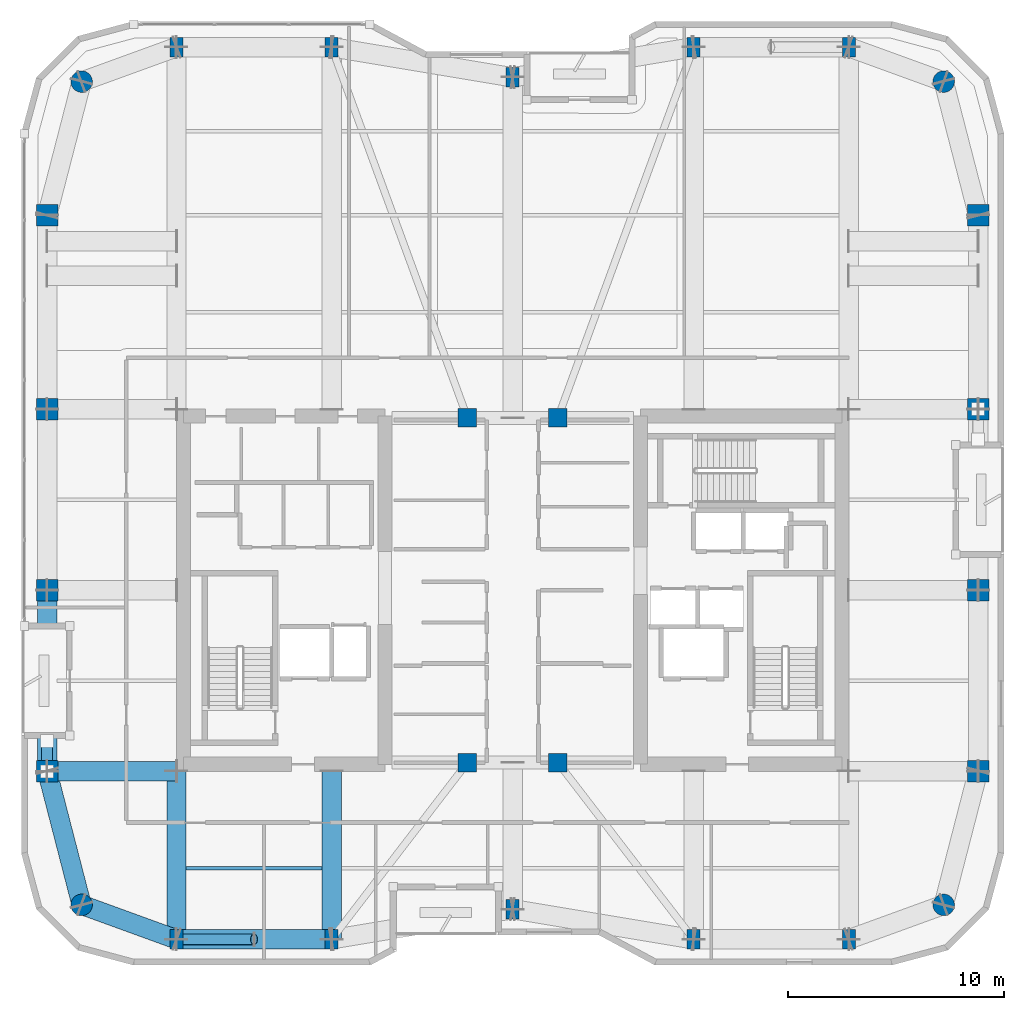
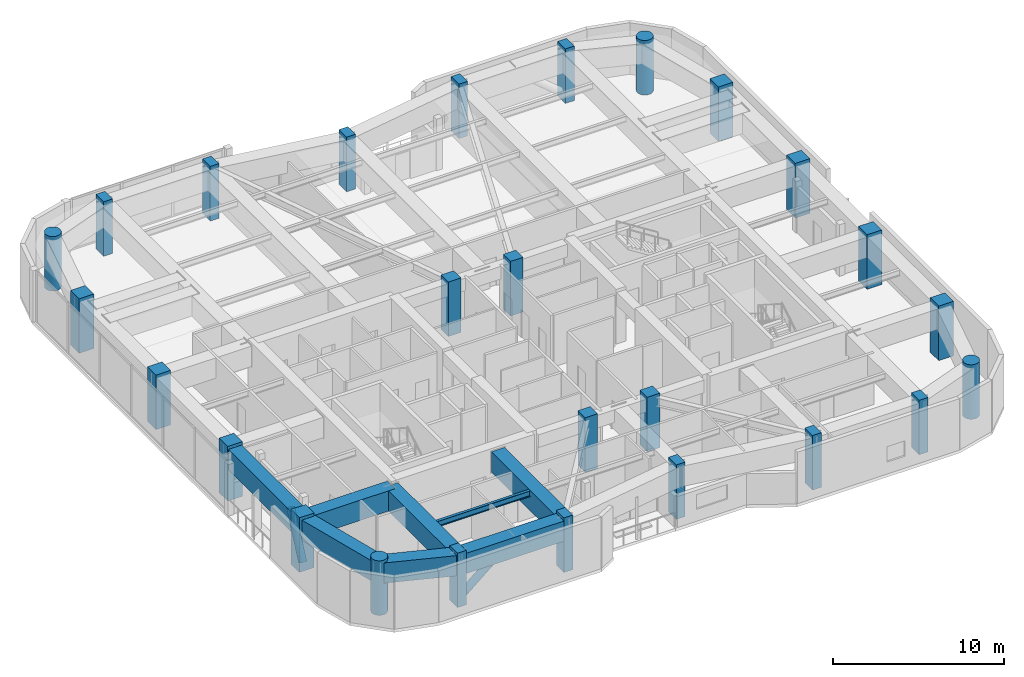
# One storey, part 1 of 21: 26 columns, 8 beams, 2 members.
"""IFC4 building model written with IfcOpenShell, lengths in metres."""

from ifc_helpers import new_model, si_unit, direction, frame, origin, origin_2d, place, context, subcontext, project, spatial, rectangle, hollow_rectangle, circle, hollow_circle, i_section, extrude, material, material_profile, profile_set, type_object, element, save


model = new_model("IFC4")

# Units and contexts
model_context = context("Model", 3, precision=1e-05, world=origin(), true_north=direction((0.0, 1.0)))
body_context = subcontext(model_context, "Body", "Model", "MODEL_VIEW")
ifc_project = project(units=[si_unit("LENGTHUNIT", "METRE"), si_unit("AREAUNIT", "SQUARE_METRE"), si_unit("VOLUMEUNIT", "CUBIC_METRE"), si_unit("PLANEANGLEUNIT", "RADIAN"), si_unit("MASSUNIT", "GRAM", prefix="KILO")], contexts=[model_context])

# Site, building, storey
site_placement = place(None, origin())
site = spatial("IfcSite", under=ifc_project, at=site_placement, CompositionType="ELEMENT")
building_placement = place(site_placement, origin())
building = spatial("IfcBuilding", under=site, at=building_placement, Name="Kiyonajd Concourse Tower", CompositionType="ELEMENT")
storey_placement = place(building_placement, frame((0.0, 0.0, 251.10009765625)))
storey = spatial("IfcBuildingStorey", under=building, at=storey_placement, Name="L63", CompositionType="ELEMENT", Elevation=251.10009765625)

# Columns
ifc_material_1 = material(Name="Concrete C60/75", Category="concrete")
ifc_material_profile_1 = material_profile(ifc_material_1, rectangle(XDim=0.60009765625, YDim=0.89990234375, at=origin_2d()), Name="RC-900x600")
ifc_profile_set_1 = profile_set([ifc_material_profile_1], Name="Concrete C60/75")
column_type_1 = type_object("IfcColumnType", Name="CL-BLADE-900", PredefinedType="COLUMN", material=ifc_profile_set_1)
for number, where, z_axis, x_axis, name in (
    (1, (32.39990234375, 19.800048828125, 0.0), (0.0, 0.0, 1.0), (1.0, 0.0, 0.0), "L63 Perimeter Bundled Tube Column"),
    (2, (32.39990234375, 61.199951171875, 0.0), (0.0, 0.0, 1.0), (1.0, 0.0, 0.0), "L63 Perimeter Bundled Tube Column"),
    (3, (39.60009765625, 19.800048828125, 0.0), (0.0, 0.0, 1.0), (1.0, 0.0, 0.0), "L63 Perimeter Bundled Tube Column"),
    (4, (39.60009765625, 61.199951171875, 0.0), (0.0, 0.0, 1.0), (1.0, 0.0, 0.0), "L63 Perimeter Bundled Tube Column"),
    (5, (48.0, 21.199951171875, 0.0), (0.0, 0.0, 1.0), (1.0, 0.0, 0.0), "L63 Perimeter Bundled Tube Column"),
    (6, (48.0, 59.800048828125, 0.0), (0.0, 0.0, 1.0), (1.0, 0.0, 0.0), "L63 Perimeter Bundled Tube Column"),
    (7, (56.39990234375, 19.800048828125, 0.0), (0.0, 0.0, 1.0), (1.0, 0.0, 0.0), "L63 Perimeter Bundled Tube Column"),
    (8, (56.39990234375, 61.199951171875, 0.0), (0.0, 0.0, 1.0), (1.0, 0.0, 0.0), "L63 Perimeter Bundled Tube Column"),
    (9, (63.60009765625, 19.800048828125, 0.0), (0.0, 0.0, 1.0), (1.0, 0.0, 0.0), "L63 Perimeter Bundled Tube Column"),
    (10, (63.60009765625, 61.199951171875, 0.0), (0.0, 0.0, 1.0), (1.0, 0.0, 0.0), "L63 Perimeter Bundled Tube Column"),
):
    element("IfcColumn", number, at=place(storey_placement, frame(where, z_axis=z_axis, x_axis=x_axis)), inside=storey, type_object=column_type_1, Name=name, PredefinedType="COLUMN", context=body_context, shape_type="SweptSolid", body=[
        extrude(rectangle(XDim=0.60009765625, YDim=0.89990234375, at=origin_2d()), origin(), (0.0, 0.0, 1.0), 3.89990234375),
    ])
ifc_material_profile_2 = material_profile(ifc_material_1, circle(Radius=0.5, at=origin_2d()), Name="RCC-D1000")
ifc_profile_set_2 = profile_set([ifc_material_profile_2], Name="Concrete C60/75")
column_type_2 = type_object("IfcColumnType", Name="CL-RND-1000", PredefinedType="COLUMN", material=ifc_profile_set_2)
for number, where, z_axis, x_axis, name in (
    (11, (28.0, 21.39990234375, 0.0), (0.0, 0.0, 1.0), (1.0, 0.0, 0.0), "L63 Bundled Tube Corner Column South West"),
    (12, (68.0, 21.39990234375, 0.0), (0.0, 0.0, 1.0), (1.0, 0.0, 0.0), "L63 Bundled Tube Corner Column South East"),
    (13, (68.0, 59.60009765625, 0.0), (0.0, 0.0, 1.0), (1.0, 0.0, 0.0), "L63 Bundled Tube Corner Column North East"),
    (14, (28.0, 59.60009765625, 0.0), (0.0, 0.0, 1.0), (1.0, 0.0, 0.0), "L63 Bundled Tube Corner Column North West"),
):
    element("IfcColumn", number, at=place(storey_placement, frame(where, z_axis=z_axis, x_axis=x_axis)), inside=storey, type_object=column_type_2, Name=name, PredefinedType="COLUMN", context=body_context, shape_type="SweptSolid", body=[
        extrude(circle(Radius=0.5, at=origin_2d()), origin(), (0.0, 0.0, 1.0), 3.89990234375),
    ])
ifc_material_profile_3 = material_profile(ifc_material_1, rectangle(XDim=1.0, YDim=1.0, at=origin_2d()), Name="RC-1000x1000")
ifc_profile_set_3 = profile_set([ifc_material_profile_3], Name="Concrete C60/75")
column_type_3 = type_object("IfcColumnType", Name="CL-TUBE-1000", PredefinedType="COLUMN", material=ifc_profile_set_3)
for number, where, z_axis, x_axis, name in (
    (15, (26.39990234375, 27.60009765625, 0.0), (0.0, 0.0, 1.0), (1.0, 0.0, 0.0), "L63 Perimeter Bundled Tube Column"),
    (16, (69.60009765625, 27.60009765625, 0.0), (0.0, 0.0, 1.0), (1.0, 0.0, 0.0), "L63 Perimeter Bundled Tube Column"),
    (17, (26.39990234375, 36.0, 0.0), (0.0, 0.0, 1.0), (1.0, 0.0, 0.0), "L63 Perimeter Bundled Tube Column"),
    (18, (69.60009765625, 36.0, 0.0), (0.0, 0.0, 1.0), (1.0, 0.0, 0.0), "L63 Perimeter Bundled Tube Column"),
    (19, (26.39990234375, 44.39990234375, 0.0), (0.0, 0.0, 1.0), (1.0, 0.0, 0.0), "L63 Perimeter Bundled Tube Column"),
    (20, (69.60009765625, 44.39990234375, 0.0), (0.0, 0.0, 1.0), (1.0, 0.0, 0.0), "L63 Perimeter Bundled Tube Column"),
    (21, (26.39990234375, 53.39990234375, 0.0), (0.0, 0.0, 1.0), (1.0, 0.0, 0.0), "L63 Perimeter Bundled Tube Column"),
    (22, (69.60009765625, 53.39990234375, 0.0), (0.0, 0.0, 1.0), (1.0, 0.0, 0.0), "L63 Perimeter Bundled Tube Column"),
):
    element("IfcColumn", number, at=place(storey_placement, frame(where, z_axis=z_axis, x_axis=x_axis)), inside=storey, type_object=column_type_3, Name=name, PredefinedType="COLUMN", context=body_context, shape_type="SweptSolid", body=[
        extrude(rectangle(XDim=1.0, YDim=1.0, at=origin_2d()), origin(), (0.0, 0.0, 1.0), 3.89990234375),
    ])
ifc_material_profile_4 = material_profile(ifc_material_1, rectangle(XDim=0.85009765625, YDim=0.85009765625, at=origin_2d()), Name="RC-850x850")
ifc_profile_set_4 = profile_set([ifc_material_profile_4], Name="Concrete C60/75")
column_type_4 = type_object("IfcColumnType", Name="CL-TUBE-850", PredefinedType="COLUMN", material=ifc_profile_set_4)
for number, where, z_axis, x_axis, name in (
    (23, (45.89990234375, 28.0, 0.0), (0.0, 0.0, 1.0), (1.0, 0.0, 0.0), "L63 Core Tie Column South West"),
    (24, (50.10009765625, 28.0, 0.0), (0.0, 0.0, 1.0), (1.0, 0.0, 0.0), "L63 Core Tie Column South East"),
    (25, (45.89990234375, 44.0, 0.0), (0.0, 0.0, 1.0), (1.0, 0.0, 0.0), "L63 Core Tie Column North West"),
    (26, (50.10009765625, 44.0, 0.0), (0.0, 0.0, 1.0), (1.0, 0.0, 0.0), "L63 Core Tie Column North East"),
):
    element("IfcColumn", number, at=place(storey_placement, frame(where, z_axis=z_axis, x_axis=x_axis)), inside=storey, type_object=column_type_4, Name=name, PredefinedType="COLUMN", context=body_context, shape_type="SweptSolid", body=[
        extrude(rectangle(XDim=0.85009765625, YDim=0.85009765625, at=origin_2d()), origin(), (0.0, 0.0, 1.0), 3.89990234375),
    ])

# Beams
ifc_material_2 = material(Name="Steel ASTM A992 Grade 50", Category="steel")
ifc_material_profile_5 = material_profile(ifc_material_2, i_section(OverallWidth=0.180908203125, OverallDepth=0.4169921875, WebThickness=0.010986328125, FlangeThickness=0.018310546875, at=origin_2d()), Name="W410X85")
ifc_profile_set_5 = profile_set([ifc_material_profile_5], Name="Steel ASTM A992 Grade 50")
beam_type_1 = type_object("IfcBeamType", Name="BM-JST-410", PredefinedType="JOIST", material=ifc_profile_set_5)
beam_1_placement = place(storey_placement, frame((32.85009765625, 23.10009765625, 3.471435546875), z_axis=(1.0, 0.0, 0.0), x_axis=(0.0, 1.0, 0.0)))
element("IfcBeam", 27, at=beam_1_placement, inside=storey, type_object=beam_type_1, Name="L63 Secondary Floor Joist", PredefinedType="JOIST", context=body_context, shape_type="SweptSolid", body=[
    extrude(i_section(OverallWidth=0.180908203125, OverallDepth=0.4169921875, WebThickness=0.010986328125, FlangeThickness=0.018310546875, at=origin_2d()), origin(), (0.0, 0.0, 1.0), 6.2998046875),
])
ifc_material_3 = material(Name="Steel ASTM A572 Grade 50", Category="steel")
ifc_material_profile_6 = material_profile(ifc_material_3, hollow_rectangle(XDim=0.89990234375, YDim=1.449951171875, WallThickness=0.074951171875, at=origin_2d()), Name="BOX-1450x900x75")
ifc_profile_set_6 = profile_set([ifc_material_profile_6], Name="Steel ASTM A572 Grade 50")
beam_type_2 = type_object("IfcBeamType", Name="BM-XFER-1800", PredefinedType="BEAM", material=ifc_profile_set_6)
beam_2_placement = place(storey_placement, frame((26.39990234375, 27.60009765625, 2.954833984375), z_axis=(0.249884937687, -0.968275538221, 0.0), x_axis=(0.968275538221, 0.249884937687, 0.0)))
element("IfcBeam", 28, at=beam_2_placement, inside=storey, type_object=beam_type_2, Name="L63 Perimeter Bundled Tube Spandrel", PredefinedType="BEAM", context=body_context, shape_type="SweptSolid", body=[
    extrude(hollow_rectangle(XDim=0.89990234375, YDim=1.449951171875, WallThickness=0.074951171875, at=origin_2d()), origin(), (0.0, 0.0, 1.0), 6.4033203125),
])
beam_3_placement = place(storey_placement, frame((28.0, 21.39990234375, 2.954833984375), z_axis=(0.939801036019, -0.341722127901, 0.0), x_axis=(0.341722127901, 0.939801036019, 0.0)))
element("IfcBeam", 29, at=beam_3_placement, inside=storey, type_object=beam_type_2, Name="L63 Perimeter Bundled Tube Spandrel", PredefinedType="BEAM", context=body_context, shape_type="SweptSolid", body=[
    extrude(hollow_rectangle(XDim=0.89990234375, YDim=1.449951171875, WallThickness=0.074951171875, at=origin_2d()), origin(), (0.0, 0.0, 1.0), 4.681640625),
])
beam_4_placement = place(storey_placement, frame((32.39990234375, 19.800048828125, 2.954833984375), z_axis=(1.0, 0.0, 0.0), x_axis=(0.0, 1.0, 0.0)))
element("IfcBeam", 30, at=beam_4_placement, inside=storey, type_object=beam_type_2, Name="L63 Perimeter Bundled Tube Spandrel", PredefinedType="BEAM", context=body_context, shape_type="SweptSolid", body=[
    extrude(hollow_rectangle(XDim=0.89990234375, YDim=1.449951171875, WallThickness=0.074951171875, at=origin_2d()), origin(), (0.0, 0.0, 1.0), 7.2001953125),
])
beam_5_placement = place(storey_placement, frame((26.39990234375, 36.0, 2.954833984375), z_axis=(0.0, -1.0, 0.0), x_axis=(1.0, 0.0, 0.0)))
element("IfcBeam", 31, at=beam_5_placement, inside=storey, type_object=beam_type_2, Name="L63 Perimeter Bundled Tube Spandrel", PredefinedType="BEAM", context=body_context, shape_type="SweptSolid", body=[
    extrude(hollow_rectangle(XDim=0.89990234375, YDim=1.449951171875, WallThickness=0.074951171875, at=origin_2d()), origin(), (0.0, 0.0, 1.0), 8.39990234375),
])
for number, where, z_axis, x_axis, name in (
    (32, (32.39990234375, 19.800048828125, 2.954833984375), (0.0, 1.0, 0.0), (-1.0, 0.0, 0.0), "L63 South Lease Girder"),
    (33, (39.60009765625, 19.800048828125, 2.954833984375), (0.0, 1.0, 0.0), (-1.0, 0.0, 0.0), "L63 South Lease Girder"),
):
    element("IfcBeam", number, at=place(storey_placement, frame(where, z_axis=z_axis, x_axis=x_axis)), inside=storey, type_object=beam_type_2, Name=name, PredefinedType="BEAM", context=body_context, shape_type="SweptSolid", body=[
        extrude(hollow_rectangle(XDim=0.89990234375, YDim=1.449951171875, WallThickness=0.074951171875, at=origin_2d()), origin(), (0.0, 0.0, 1.0), 7.800048828125),
    ])
beam_6_placement = place(storey_placement, frame((26.39990234375, 27.60009765625, 2.954833984375), z_axis=(1.0, 0.0, 0.0), x_axis=(0.0, 1.0, 0.0)))
element("IfcBeam", 34, at=beam_6_placement, inside=storey, type_object=beam_type_2, Name="L63 West Lease Girder", PredefinedType="BEAM", context=body_context, shape_type="SweptSolid", body=[
    extrude(hollow_rectangle(XDim=0.89990234375, YDim=1.449951171875, WallThickness=0.074951171875, at=origin_2d()), origin(), (0.0, 0.0, 1.0), 6.0),
])

# Members
ifc_material_4 = material(Name="Steel ASTM A500 Grade C", Category="steel")
ifc_material_profile_7 = material_profile(ifc_material_4, hollow_circle(Radius=0.25390625, WallThickness=0.02197265625, at=origin_2d()), Name="CHS-508x22")
ifc_profile_set_7 = profile_set([ifc_material_profile_7], Name="Steel ASTM A500 Grade C")
member_type = type_object("IfcMemberType", Name="MB-PB-MID", PredefinedType="BRACE", material=ifc_profile_set_7)
member_1_placement = place(storey_placement, frame((32.39990234375, 19.800048828125, 0.2998046875), z_axis=(0.765082043761, 0.0, 0.643932811957), x_axis=(0.0, 1.0, 0.0)))
element("IfcMember", 35, at=member_1_placement, inside=storey, type_object=member_type, Name="L63 Upper Zone Hollow Tube Brace PBS", PredefinedType="BRACE", context=body_context, shape_type="SweptSolid", body=[
    extrude(hollow_circle(Radius=0.25390625, WallThickness=0.02197265625, at=origin_2d()), origin(), (0.0, 0.0, 1.0), 4.70556640625),
])
member_2_placement = place(storey_placement, frame((26.39990234375, 27.60009765625, 0.2998046875), z_axis=(0.0, 0.419410666774, 0.907796614114), x_axis=(-1.0, 0.0, 0.0)))
element("IfcMember", 36, at=member_2_placement, inside=storey, type_object=member_type, Name="L63 Upper Zone Hollow Tube Brace PBW", PredefinedType="BRACE", context=body_context, shape_type="SweptSolid", body=[
    extrude(hollow_circle(Radius=0.25390625, WallThickness=0.02197265625, at=origin_2d()), origin(), (0.0, 0.0, 1.0), 3.337890625),
])

save(model, "model.ifc")
